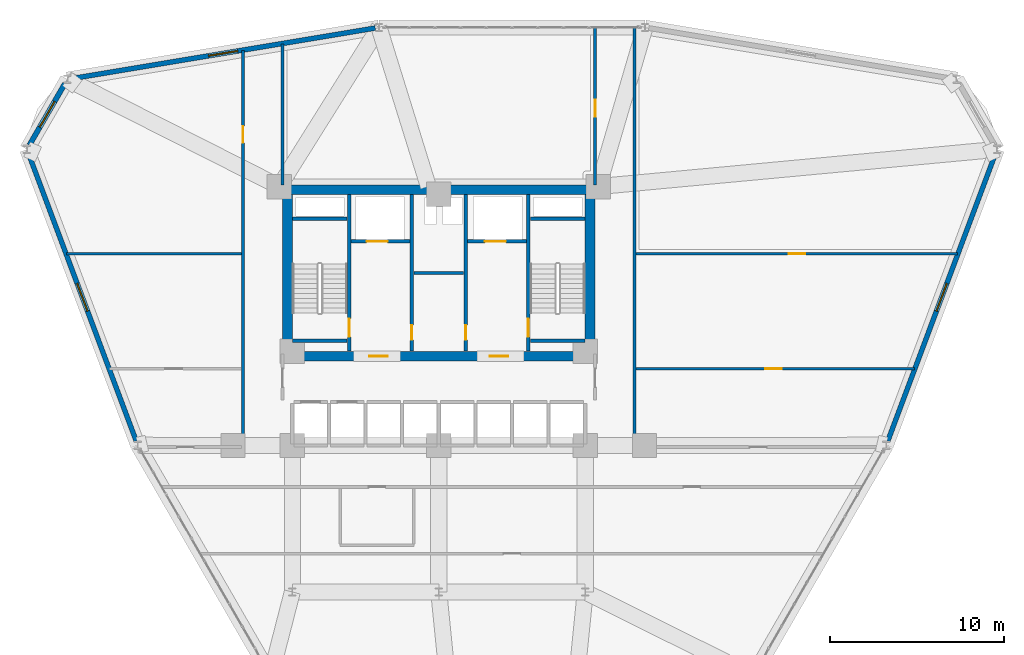
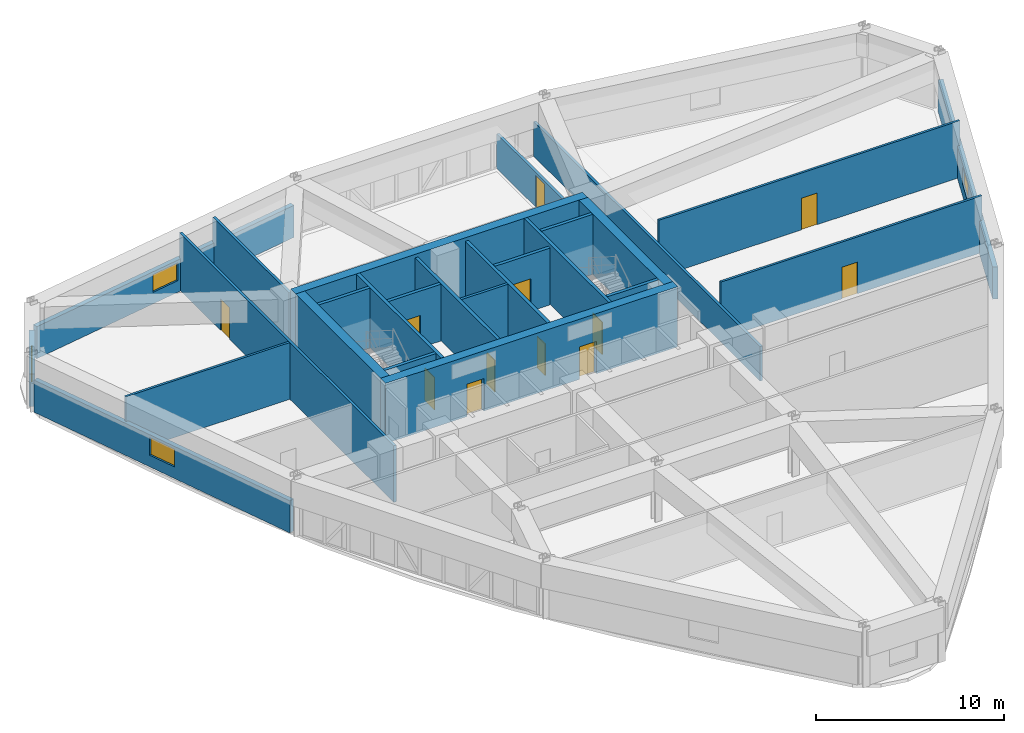
# One storey, part 15 of 18: 26 walls, 12 doors, 4 windows, 16 openings.
"""IFC4 building model written with IfcOpenShell, lengths in metres."""

from ifc_helpers import new_model, si_unit, derived_unit, direction, frame, frame_2d, origin, place, context, subcontext, project, spatial, rectangle, extrude, material, layer, layer_set, type_object, element, fill, save


model = new_model("IFC4")

# Units and contexts
model_context = context("Model", 3, precision=1e-05, world=origin(), true_north=direction((0.0, 1.0)))
body_context = subcontext(model_context, "Body", "Model", "MODEL_VIEW")
ifc_project = project(units=[si_unit("LENGTHUNIT", "METRE"), si_unit("AREAUNIT", "SQUARE_METRE"), si_unit("VOLUMEUNIT", "CUBIC_METRE"), si_unit("PLANEANGLEUNIT", "RADIAN"), si_unit("MASSUNIT", "GRAM", prefix="KILO"), derived_unit("THERMALTRANSMITTANCEUNIT", [(si_unit("POWERUNIT", "WATT"), 1), (si_unit("LENGTHUNIT", "METRE"), -2), (si_unit("THERMODYNAMICTEMPERATUREUNIT", "KELVIN"), -1)])], contexts=[model_context])

# Site, building, storey
site_placement = place(None, origin())
site = spatial("IfcSite", under=ifc_project, at=site_placement, CompositionType="ELEMENT")
building_placement = place(site_placement, origin())
building = spatial("IfcBuilding", under=site, at=building_placement, Name="Korsvarv Bourse and Concert Hall", CompositionType="ELEMENT")
storey_placement = place(building_placement, frame((0.0, 0.0, 71.699951171875)))
storey = spatial("IfcBuildingStorey", under=building, at=storey_placement, Name="L17", CompositionType="ELEMENT", Elevation=71.699951171875)

# Wall, opening, door
ifc_material_1 = material(Name="Concrete C50/60", Category="concrete")
ifc_layer_1 = layer(ifc_material_1, 0.3798828125)
ifc_layer_set_1 = layer_set([ifc_layer_1], Name="Concrete C50/60")
wall_type_1 = type_object("IfcWallType", Name="WL-CORE-380", PredefinedType="SHEAR", material=ifc_layer_set_1)
wall_1_placement = place(storey_placement, frame((30.860107421875, 37.81005859375, 0.0), z_axis=(0.0, 0.0, 1.0), x_axis=(0.0, 1.0, 0.0)))
wall_1 = element("IfcWall", 1, at=wall_1_placement, inside=storey, type_object=wall_type_1, Name="L17 stair shaft structural wall W-L17-ST1-E", PredefinedType="SHEAR", context=body_context, shape_type="SweptSolid", body=[
    extrude(rectangle(XDim=8.97998046875, YDim=0.199951171875, at=frame_2d((4.489990234375, 0.0))), origin(), (0.0, 0.0, 1.0), 3.900146484375),
])
opening_1_placement = place(wall_1_placement, frame((0.820068359375, 0.0, 0.0)))
opening_1 = element("IfcOpeningElement", 2, at=opening_1_placement, cuts=wall_1, Name="Opening D-01", PredefinedType="OPENING", context=body_context, shape_type="SweptSolid", body=[
    extrude(rectangle(XDim=1.050048828125, YDim=2.10009765625, at=frame_2d((0.52490234375, 1.050048828125))), frame((0.0, 0.10986328125, 0.0), z_axis=(0.0, -1.0, 0.0), x_axis=(1.0, 0.0, 0.0)), (0.0, 0.0, 1.0), 0.219970703125),
])
ifc_material_2 = material(Name="Steel S355 fire door", Category="steel")
door_type_1 = type_object("IfcDoorType", Name="DR-FD60", OperationType="NOTDEFINED", PredefinedType="DOOR", material=ifc_material_2)
door_1_placement = place(opening_1_placement, origin())
door_1 = element("IfcDoor", 3, at=door_1_placement, inside=storey, type_object=door_type_1, Name="L17 interior door DR-L17-ST1", OperationType="SINGLE_SWING_LEFT", OverallHeight=2.10009765625, OverallWidth=1.050048828125, PredefinedType="DOOR", context=body_context, shape_type="SweptSolid", body=[
    extrude(rectangle(XDim=1.050048828125, YDim=2.10009765625, at=frame_2d((0.52490234375, 1.050048828125))), frame((0.0, 0.02490234375, 0.0), z_axis=(0.0, -1.0, 0.0), x_axis=(1.0, 0.0, 0.0)), (0.0, 0.0, 1.0), 0.050048828125),
])
fill(opening_1, door_1)

# Walls
for number, where, z_axis, x_axis, name in (
    (4, (27.610107421875, 45.39990234375, 0.0), (0.0, 0.0, 1.0), (1.0, 0.0, 0.0), "L17 stair shaft structural wall W-L17-ST1-N"),
    (5, (27.610107421875, 38.39990234375, 0.0), (0.0, 0.0, 1.0), (1.0, 0.0, 0.0), "L17 stair shaft structural wall W-L17-ST1-S"),
):
    element("IfcWall", number, at=place(storey_placement, frame(where, z_axis=z_axis, x_axis=x_axis)), inside=storey, type_object=wall_type_1, Name=name, PredefinedType="SHEAR", context=body_context, shape_type="SweptSolid", body=[
        extrude(rectangle(XDim=3.139892578125, YDim=0.199951171875, at=frame_2d((1.56982421875, 0.0))), origin(), (0.0, 0.0, 1.0), 3.900146484375),
    ])

# Wall, opening, door
wall_2_placement = place(storey_placement, frame((41.139892578125, 37.81005859375, 0.0), z_axis=(0.0, 0.0, 1.0), x_axis=(0.0, 1.0, 0.0)))
wall_2 = element("IfcWall", 6, at=wall_2_placement, inside=storey, type_object=wall_type_1, Name="L17 stair shaft structural wall W-L17-ST2-W", PredefinedType="SHEAR", context=body_context, shape_type="SweptSolid", body=[
    extrude(rectangle(XDim=8.97998046875, YDim=0.199951171875, at=frame_2d((4.489990234375, 0.0))), origin(), (0.0, 0.0, 1.0), 3.900146484375),
])
opening_2_placement = place(wall_2_placement, frame((0.820068359375, 0.0, 0.0)))
opening_2 = element("IfcOpeningElement", 7, at=opening_2_placement, cuts=wall_2, Name="Opening D-01", PredefinedType="OPENING", context=body_context, shape_type="SweptSolid", body=[
    extrude(rectangle(XDim=1.050048828125, YDim=2.10009765625, at=frame_2d((0.52490234375, 1.050048828125))), frame((0.0, 0.10986328125, 0.0), z_axis=(0.0, -1.0, 0.0), x_axis=(1.0, 0.0, 0.0)), (0.0, 0.0, 1.0), 0.219970703125),
])
door_2_placement = place(opening_2_placement, frame((1.050048828125, 0.0, 0.0), z_axis=(0.0, 0.0, 1.0), x_axis=(-1.0, 0.0, 0.0)))
door_2 = element("IfcDoor", 8, at=door_2_placement, inside=storey, type_object=door_type_1, Name="L17 interior door DR-L17-ST2", OperationType="SINGLE_SWING_RIGHT", OverallHeight=2.10009765625, OverallWidth=1.050048828125, PredefinedType="DOOR", context=body_context, shape_type="SweptSolid", body=[
    extrude(rectangle(XDim=1.050048828125, YDim=2.10009765625, at=frame_2d((0.52490234375, 1.050048828125))), frame((0.0, 0.02490234375, 0.0), z_axis=(0.0, -1.0, 0.0), x_axis=(1.0, 0.0, 0.0)), (0.0, 0.0, 1.0), 0.050048828125),
])
fill(opening_2, door_2)

# Walls
for number, where, z_axis, x_axis, name in (
    (9, (41.25, 45.39990234375, 0.0), (0.0, 0.0, 1.0), (1.0, 0.0, 0.0), "L17 stair shaft structural wall W-L17-ST2-N"),
    (10, (41.25, 38.39990234375, 0.0), (0.0, 0.0, 1.0), (1.0, 0.0, 0.0), "L17 stair shaft structural wall W-L17-ST2-S"),
):
    element("IfcWall", number, at=place(storey_placement, frame(where, z_axis=z_axis, x_axis=x_axis)), inside=storey, type_object=wall_type_1, Name=name, PredefinedType="SHEAR", context=body_context, shape_type="SweptSolid", body=[
        extrude(rectangle(XDim=3.139892578125, YDim=0.199951171875, at=frame_2d((1.56982421875, 0.0))), origin(), (0.0, 0.0, 1.0), 3.900146484375),
    ])
ifc_material_3 = material(Name="Concrete C60/75", Category="concrete")
ifc_layer_2 = layer(ifc_material_3, 0.550048828125)
ifc_layer_set_2 = layer_set([ifc_layer_2], Name="Concrete C60/75")
wall_type_2 = type_object("IfcWallType", Name="WL-CORE-550", PredefinedType="SHEAR", material=ifc_layer_set_2)
wall_3_placement = place(storey_placement, frame((27.050048828125, 47.074951171875, 0.0), z_axis=(0.0, 0.0, 1.0), x_axis=(1.0, 0.0, 0.0)))
element("IfcWall", 11, at=wall_3_placement, inside=storey, type_object=wall_type_2, Name="L17 North Core Shear Wall", PredefinedType="SHEAR", context=body_context, shape_type="SweptSolid", body=[
    extrude(rectangle(XDim=17.89990234375, YDim=0.550048828125, at=frame_2d((8.949951171875, 0.0))), origin(), (0.0, 0.0, 1.0), 3.900146484375),
])

# Wall, openings, doors
wall_4_placement = place(storey_placement, frame((27.050048828125, 37.52490234375, 0.0), z_axis=(0.0, 0.0, 1.0), x_axis=(1.0, 0.0, 0.0)))
wall_4 = element("IfcWall", 12, at=wall_4_placement, inside=storey, type_object=wall_type_2, Name="L17 South Core Shear Wall", PredefinedType="SHEAR", context=body_context, shape_type="SweptSolid", body=[
    extrude(rectangle(XDim=17.89990234375, YDim=0.550048828125, at=frame_2d((8.949951171875, 0.0))), origin(), (0.0, 0.0, 1.0), 3.900146484375),
])
opening_3_placement = place(wall_4_placement, frame((4.97509765625, 0.0, 0.0)))
opening_3 = element("IfcOpeningElement", 13, at=opening_3_placement, cuts=wall_4, Name="Opening D-01", PredefinedType="OPENING", context=body_context, shape_type="SweptSolid", body=[
    extrude(rectangle(XDim=1.050048828125, YDim=2.10009765625, at=frame_2d((0.52490234375, 1.050048828125))), frame((0.0, 0.28515625, 0.0), z_axis=(0.0, -1.0, 0.0), x_axis=(1.0, 0.0, 0.0)), (0.0, 0.0, 1.0), 0.570068359375),
])
opening_4_placement = place(wall_4_placement, frame((11.875, 0.0, 0.0)))
opening_4 = element("IfcOpeningElement", 14, at=opening_4_placement, cuts=wall_4, Name="Opening D-01", PredefinedType="OPENING", context=body_context, shape_type="SweptSolid", body=[
    extrude(rectangle(XDim=1.050048828125, YDim=2.10009765625, at=frame_2d((0.52490234375, 1.050048828125))), frame((0.0, 0.28515625, 0.0), z_axis=(0.0, -1.0, 0.0), x_axis=(1.0, 0.0, 0.0)), (0.0, 0.0, 1.0), 0.570068359375),
])
door_3_placement = place(opening_3_placement, frame((1.050048828125, 0.0, 0.0), z_axis=(0.0, 0.0, 1.0), x_axis=(-1.0, 0.0, 0.0)))
door_3 = element("IfcDoor", 15, at=door_3_placement, inside=storey, type_object=door_type_1, Name="L17 firefighting lobby fire door DR-L17-FFLW", OperationType="SINGLE_SWING_RIGHT", OverallHeight=2.10009765625, OverallWidth=1.050048828125, PredefinedType="DOOR", context=body_context, shape_type="SweptSolid", body=[
    extrude(rectangle(XDim=1.050048828125, YDim=2.10009765625, at=frame_2d((0.52490234375, 1.050048828125))), frame((0.0, 0.02490234375, 0.0), z_axis=(0.0, -1.0, 0.0), x_axis=(1.0, 0.0, 0.0)), (0.0, 0.0, 1.0), 0.050048828125),
])
fill(opening_3, door_3)
door_4_placement = place(opening_4_placement, frame((1.050048828125, 0.0, 0.0), z_axis=(0.0, 0.0, 1.0), x_axis=(-1.0, 0.0, 0.0)))
door_4 = element("IfcDoor", 16, at=door_4_placement, inside=storey, type_object=door_type_1, Name="L17 firefighting lobby fire door DR-L17-FFLE", OperationType="SINGLE_SWING_LEFT", OverallHeight=2.10009765625, OverallWidth=1.050048828125, PredefinedType="DOOR", context=body_context, shape_type="SweptSolid", body=[
    extrude(rectangle(XDim=1.050048828125, YDim=2.10009765625, at=frame_2d((0.52490234375, 1.050048828125))), frame((0.0, 0.02490234375, 0.0), z_axis=(0.0, -1.0, 0.0), x_axis=(1.0, 0.0, 0.0)), (0.0, 0.0, 1.0), 0.050048828125),
])
fill(opening_4, door_4)

# Walls
for number, where, z_axis, x_axis, name in (
    (17, (27.324951171875, 37.800048828125, 0.0), (0.0, 0.0, 1.0), (0.0, 1.0, 0.0), "L17 West Core Shear Wall"),
    (18, (44.675048828125, 37.800048828125, 0.0), (0.0, 0.0, 1.0), (0.0, 1.0, 0.0), "L17 East Core Shear Wall"),
):
    element("IfcWall", number, at=place(storey_placement, frame(where, z_axis=z_axis, x_axis=x_axis)), inside=storey, type_object=wall_type_2, Name=name, PredefinedType="SHEAR", context=body_context, shape_type="SweptSolid", body=[
        extrude(rectangle(XDim=9.0, YDim=0.550048828125, at=frame_2d((4.5, 0.0))), origin(), (0.0, 0.0, 1.0), 3.900146484375),
    ])

# Wall, opening, window
ifc_material_4 = material(Name="Precast concrete C45/55 with terracotta rainscreen", Category="concrete")
ifc_layer_3 = layer(ifc_material_4, 0.300048828125)
ifc_layer_set_3 = layer_set([ifc_layer_3], Name="Precast concrete C45/55 with terracotta rainscreen")
wall_type_3 = type_object("IfcWallType", Name="WL-EXT-TC1", PredefinedType="SOLIDWALL", material=ifc_layer_set_3)
wall_5_placement = place(storey_placement, frame((14.5625, 53.15673828125, 0.0), z_axis=(0.0, 0.0, 1.0), x_axis=(-0.499969426694, -0.866043054571, 0.0)))
wall_5 = element("IfcWall", 19, at=wall_5_placement, inside=storey, type_object=wall_type_3, Name="L17 terracotta exterior wall EW-L17-B05", PredefinedType="SOLIDWALL", context=body_context, shape_type="SweptSolid", body=[
    extrude(rectangle(XDim=4.078857421875, YDim=0.300048828125, at=frame_2d((2.03955078125, 0.0))), origin(), (0.0, 0.0, 1.0), 2.080078125),
])
opening_5_placement = place(wall_5_placement, frame((1.189453125, 0.0, 0.75)))
opening_5 = element("IfcOpeningElement", 20, at=opening_5_placement, cuts=wall_5, Name="Opening W-06", PredefinedType="OPENING", context=body_context, shape_type="SweptSolid", body=[
    extrude(rectangle(XDim=1.699951171875, YDim=1.14990234375, at=frame_2d((0.85009765625, 0.574951171875))), frame((0.0, 0.16015625, 0.0), z_axis=(0.0, -1.0, 0.0), x_axis=(1.0, 0.0, 0.0)), (0.0, 0.0, 1.0), 0.320068359375),
])
ifc_material_5 = material(Name="Thermally broken aluminium frame with triple low-E glass", Category="glass")
window_type = type_object("IfcWindowType", Name="WIN-TW1-1700X1150", PartitioningType="SINGLE_PANEL", PredefinedType="WINDOW", material=ifc_material_5)
window_1_placement = place(opening_5_placement, origin())
window_1 = element("IfcWindow", 21, at=window_1_placement, inside=storey, type_object=window_type, Name="L17 punched facade window W-06", OverallHeight=1.14990234375, OverallWidth=1.699951171875, PartitioningType="SINGLE_PANEL", PredefinedType="WINDOW", context=body_context, shape_type="SweptSolid", body=[
    extrude(rectangle(XDim=1.699951171875, YDim=1.14990234375, at=frame_2d((0.85009765625, 0.574951171875))), frame((0.0, 0.030029296875, 0.0), z_axis=(0.0, -1.0, 0.0), x_axis=(1.0, 0.0, 0.0)), (0.0, 0.0, 1.0), 0.06005859375),
])
fill(opening_5, window_1)

ifc_material_6 = material(Name="Precast concrete C45/55 with fluted terracotta pier", Category="concrete")
ifc_layer_4 = layer(ifc_material_6, 0.280029296875)
ifc_layer_set_4 = layer_set([ifc_layer_4], Name="Precast concrete C45/55 with fluted terracotta pier")
wall_type_4 = type_object("IfcWallType", Name="WL-EXT-TC2", PredefinedType="SOLIDWALL", material=ifc_layer_set_4)
wall_6_placement = place(storey_placement, frame((32.356201171875, 56.340576171875, 0.0), z_axis=(0.0, 0.0, 1.0), x_axis=(-0.986399895449, -0.16436315359, 0.0)))
wall_6 = element("IfcWall", 22, at=wall_6_placement, inside=storey, type_object=wall_type_4, Name="L17 terracotta exterior wall EW-L17-B04", PredefinedType="SOLIDWALL", context=body_context, shape_type="SweptSolid", body=[
    extrude(rectangle(XDim=17.677490234375, YDim=0.280029296875, at=frame_2d((8.8388671875, 0.0))), origin(), (0.0, 0.0, 1.0), 2.080078125),
])
opening_6_placement = place(wall_6_placement, frame((7.98876953125, 0.0, 0.75)))
opening_6 = element("IfcOpeningElement", 23, at=opening_6_placement, cuts=wall_6, Name="Opening W-06", PredefinedType="OPENING", context=body_context, shape_type="SweptSolid", body=[
    extrude(rectangle(XDim=1.699951171875, YDim=1.14990234375, at=frame_2d((0.85009765625, 0.574951171875))), frame((0.0, 0.14990234375, 0.0), z_axis=(0.0, -1.0, 0.0), x_axis=(1.0, 0.0, 0.0)), (0.0, 0.0, 1.0), 0.300048828125),
])
window_2_placement = place(opening_6_placement, origin())
window_2 = element("IfcWindow", 24, at=window_2_placement, inside=storey, type_object=window_type, Name="L17 punched facade window W-06", OverallHeight=1.14990234375, OverallWidth=1.699951171875, PartitioningType="SINGLE_PANEL", PredefinedType="WINDOW", context=body_context, shape_type="SweptSolid", body=[
    extrude(rectangle(XDim=1.699951171875, YDim=1.14990234375, at=frame_2d((0.85009765625, 0.574951171875))), frame((0.0, 0.030029296875, 0.0), z_axis=(0.0, -1.0, 0.0), x_axis=(1.0, 0.0, 0.0)), (0.0, 0.0, 1.0), 0.06005859375),
])
fill(opening_6, window_2)

wall_7_placement = place(storey_placement, frame((12.47412109375, 49.14013671875, 0.0), z_axis=(0.0, 0.0, 1.0), x_axis=(0.350845241249, -0.93643345556, 0.0)))
wall_7 = element("IfcWall", 25, at=wall_7_placement, inside=storey, type_object=wall_type_4, Name="L17 terracotta exterior wall EW-L17-B06", PredefinedType="SOLIDWALL", context=body_context, shape_type="SweptSolid", body=[
    extrude(rectangle(XDim=17.6005859375, YDim=0.280029296875, at=frame_2d((8.80029296875, 0.0))), origin(), (0.0, 0.0, 1.0), 2.080078125),
])
opening_7_placement = place(wall_7_placement, frame((7.9501953125, 0.0, 0.75)))
opening_7 = element("IfcOpeningElement", 26, at=opening_7_placement, cuts=wall_7, Name="Opening W-06", PredefinedType="OPENING", context=body_context, shape_type="SweptSolid", body=[
    extrude(rectangle(XDim=1.699951171875, YDim=1.14990234375, at=frame_2d((0.85009765625, 0.574951171875))), frame((0.0, 0.14990234375, 0.0), z_axis=(0.0, -1.0, 0.0), x_axis=(1.0, 0.0, 0.0)), (0.0, 0.0, 1.0), 0.300048828125),
])
window_3_placement = place(opening_7_placement, origin())
window_3 = element("IfcWindow", 27, at=window_3_placement, inside=storey, type_object=window_type, Name="L17 punched facade window W-06", OverallHeight=1.14990234375, OverallWidth=1.699951171875, PartitioningType="SINGLE_PANEL", PredefinedType="WINDOW", context=body_context, shape_type="SweptSolid", body=[
    extrude(rectangle(XDim=1.699951171875, YDim=1.14990234375, at=frame_2d((0.85009765625, 0.574951171875))), frame((0.0, 0.030029296875, 0.0), z_axis=(0.0, -1.0, 0.0), x_axis=(1.0, 0.0, 0.0)), (0.0, 0.0, 1.0), 0.06005859375),
])
fill(opening_7, window_3)

wall_8_placement = place(storey_placement, frame((61.7509765625, 32.658447265625, 0.0), z_axis=(0.0, 0.0, 1.0), x_axis=(0.350833077365, 0.936438012805, 0.0)))
wall_8 = element("IfcWall", 28, at=wall_8_placement, inside=storey, type_object=wall_type_4, Name="L17 terracotta exterior wall EW-L17-B12", PredefinedType="SOLIDWALL", context=body_context, shape_type="SweptSolid", body=[
    extrude(rectangle(XDim=17.600341796875, YDim=0.280029296875, at=frame_2d((8.80029296875, 0.0))), origin(), (0.0, 0.0, 1.0), 2.080078125),
])
opening_8_placement = place(wall_8_placement, frame((7.9501953125, 0.0, 0.75)))
opening_8 = element("IfcOpeningElement", 29, at=opening_8_placement, cuts=wall_8, Name="Opening W-06", PredefinedType="OPENING", context=body_context, shape_type="SweptSolid", body=[
    extrude(rectangle(XDim=1.699951171875, YDim=1.14990234375, at=frame_2d((0.85009765625, 0.574951171875))), frame((0.0, 0.14990234375, 0.0), z_axis=(0.0, -1.0, 0.0), x_axis=(1.0, 0.0, 0.0)), (0.0, 0.0, 1.0), 0.300048828125),
])
window_4_placement = place(opening_8_placement, origin())
window_4 = element("IfcWindow", 30, at=window_4_placement, inside=storey, type_object=window_type, Name="L17 punched facade window W-06", OverallHeight=1.14990234375, OverallWidth=1.699951171875, PartitioningType="SINGLE_PANEL", PredefinedType="WINDOW", context=body_context, shape_type="SweptSolid", body=[
    extrude(rectangle(XDim=1.699951171875, YDim=1.14990234375, at=frame_2d((0.85009765625, 0.574951171875))), frame((0.0, 0.030029296875, 0.0), z_axis=(0.0, -1.0, 0.0), x_axis=(1.0, 0.0, 0.0)), (0.0, 0.0, 1.0), 0.06005859375),
])
fill(opening_8, window_4)

# Wall, opening, door
ifc_material_7 = material(Name="Reinforced concrete blockwork C35/45 fire wall", Category="concrete")
ifc_layer_5 = layer(ifc_material_7, 0.199951171875)
ifc_layer_set_5 = layer_set([ifc_layer_5], Name="Reinforced concrete blockwork C35/45 fire wall")
wall_type_5 = type_object("IfcWallType", Name="WL-INT-EI120", PredefinedType="PARTITIONING", material=ifc_layer_set_5)
wall_9_placement = place(storey_placement, frame((30.969970703125, 44.10009765625, 0.0), z_axis=(0.0, 0.0, 1.0), x_axis=(1.0, 0.0, 0.0)))
wall_9 = element("IfcWall", 31, at=wall_9_placement, inside=storey, type_object=wall_type_5, Name="L17 interior partition wall W-L17-FF1-S", PredefinedType="PARTITIONING", context=body_context, shape_type="SweptSolid", body=[
    extrude(rectangle(XDim=3.380126953125, YDim=0.199951171875, at=frame_2d((1.68994140625, 0.0))), origin(), (0.0, 0.0, 1.0), 3.679931640625),
])
opening_9_placement = place(wall_9_placement, frame((0.89990234375, 0.0, 0.0)))
opening_9 = element("IfcOpeningElement", 32, at=opening_9_placement, cuts=wall_9, Name="Opening LD-1", PredefinedType="OPENING", context=body_context, shape_type="SweptSolid", body=[
    extrude(rectangle(XDim=1.199951171875, YDim=2.10009765625, at=frame_2d((0.60009765625, 1.050048828125))), frame((0.0, 0.10986328125, 0.0), z_axis=(0.0, -1.0, 0.0), x_axis=(1.0, 0.0, 0.0)), (0.0, 0.0, 1.0), 0.219970703125),
])
ifc_material_8 = material(Name="Stainless Steel S355 firefighting lift landing door", Category="steel")
door_type_2 = type_object("IfcDoorType", Name="DR-LIFT-FF", OperationType="DOUBLE_DOOR_SLIDING", PredefinedType="DOOR", material=ifc_material_8)
door_5_placement = place(opening_9_placement, origin())
door_5 = element("IfcDoor", 33, at=door_5_placement, inside=storey, type_object=door_type_2, Name="L17 lift sliding landing door LD-L17-FF1", OperationType="DOUBLE_DOOR_SLIDING", OverallHeight=2.10009765625, OverallWidth=1.199951171875, PredefinedType="DOOR", context=body_context, shape_type="SweptSolid", body=[
    extrude(rectangle(XDim=1.199951171875, YDim=2.10009765625, at=frame_2d((0.60009765625, 1.050048828125))), frame((0.0, 0.02490234375, 0.0), z_axis=(0.0, -1.0, 0.0), x_axis=(1.0, 0.0, 0.0)), (0.0, 0.0, 1.0), 0.050048828125),
])
fill(opening_9, door_5)

wall_10_placement = place(storey_placement, frame((37.64990234375, 44.10009765625, 0.0), z_axis=(0.0, 0.0, 1.0), x_axis=(1.0, 0.0, 0.0)))
wall_10 = element("IfcWall", 34, at=wall_10_placement, inside=storey, type_object=wall_type_5, Name="L17 interior partition wall W-L17-FF2-S", PredefinedType="PARTITIONING", context=body_context, shape_type="SweptSolid", body=[
    extrude(rectangle(XDim=3.380126953125, YDim=0.199951171875, at=frame_2d((1.68994140625, 0.0))), origin(), (0.0, 0.0, 1.0), 3.679931640625),
])
opening_10_placement = place(wall_10_placement, frame((1.0, 0.0, 0.0)))
opening_10 = element("IfcOpeningElement", 35, at=opening_10_placement, cuts=wall_10, Name="Opening LD-1", PredefinedType="OPENING", context=body_context, shape_type="SweptSolid", body=[
    extrude(rectangle(XDim=1.199951171875, YDim=2.10009765625, at=frame_2d((0.60009765625, 1.050048828125))), frame((0.0, 0.10986328125, 0.0), z_axis=(0.0, -1.0, 0.0), x_axis=(1.0, 0.0, 0.0)), (0.0, 0.0, 1.0), 0.219970703125),
])
door_6_placement = place(opening_10_placement, origin())
door_6 = element("IfcDoor", 36, at=door_6_placement, inside=storey, type_object=door_type_2, Name="L17 lift sliding landing door LD-L17-FF2", OperationType="DOUBLE_DOOR_SLIDING", OverallHeight=2.10009765625, OverallWidth=1.199951171875, PredefinedType="DOOR", context=body_context, shape_type="SweptSolid", body=[
    extrude(rectangle(XDim=1.199951171875, YDim=2.10009765625, at=frame_2d((0.60009765625, 1.050048828125))), frame((0.0, 0.02490234375, 0.0), z_axis=(0.0, -1.0, 0.0), x_axis=(1.0, 0.0, 0.0)), (0.0, 0.0, 1.0), 0.050048828125),
])
fill(opening_10, door_6)

wall_11_placement = place(storey_placement, frame((34.4599609375, 37.81005859375, 0.0), z_axis=(0.0, 0.0, 1.0), x_axis=(0.0, 1.0, 0.0)))
wall_11 = element("IfcWall", 37, at=wall_11_placement, inside=storey, type_object=wall_type_5, Name="L17 interior partition wall W-L17-CSB-W", PredefinedType="PARTITIONING", context=body_context, shape_type="SweptSolid", body=[
    extrude(rectangle(XDim=8.97998046875, YDim=0.199951171875, at=frame_2d((4.489990234375, 0.0))), origin(), (0.0, 0.0, 1.0), 3.679931640625),
])
opening_11_placement = place(wall_11_placement, frame((0.64990234375, 0.0, 0.0)))
opening_11 = element("IfcOpeningElement", 38, at=opening_11_placement, cuts=wall_11, Name="Opening D-05", PredefinedType="OPENING", context=body_context, shape_type="SweptSolid", body=[
    extrude(rectangle(XDim=0.85009765625, YDim=2.050048828125, at=frame_2d((0.425048828125, 1.02490234375))), frame((0.0, 0.10986328125, 0.0), z_axis=(0.0, -1.0, 0.0), x_axis=(1.0, 0.0, 0.0)), (0.0, 0.0, 1.0), 0.219970703125),
])
door_type_3 = type_object("IfcDoorType", Name="DR-FD60-850X2050", OperationType="NOTDEFINED", PredefinedType="DOOR", material=ifc_material_2)
door_7_placement = place(opening_11_placement, frame((0.85009765625, 0.0, 0.0), z_axis=(0.0, 0.0, 1.0), x_axis=(-1.0, 0.0, 0.0)))
door_7 = element("IfcDoor", 39, at=door_7_placement, inside=storey, type_object=door_type_3, Name="L17 interior door DR-L17-CSB1", OperationType="SINGLE_SWING_LEFT", OverallHeight=2.050048828125, OverallWidth=0.85009765625, PredefinedType="DOOR", context=body_context, shape_type="SweptSolid", body=[
    extrude(rectangle(XDim=0.85009765625, YDim=2.050048828125, at=frame_2d((0.425048828125, 1.02490234375))), frame((0.0, 0.02490234375, 0.0), z_axis=(0.0, -1.0, 0.0), x_axis=(1.0, 0.0, 0.0)), (0.0, 0.0, 1.0), 0.050048828125),
])
fill(opening_11, door_7)

wall_12_placement = place(storey_placement, frame((37.5400390625, 37.81005859375, 0.0), z_axis=(0.0, 0.0, 1.0), x_axis=(0.0, 1.0, 0.0)))
wall_12 = element("IfcWall", 40, at=wall_12_placement, inside=storey, type_object=wall_type_5, Name="L17 interior partition wall W-L17-CSB-E", PredefinedType="PARTITIONING", context=body_context, shape_type="SweptSolid", body=[
    extrude(rectangle(XDim=8.97998046875, YDim=0.199951171875, at=frame_2d((4.489990234375, 0.0))), origin(), (0.0, 0.0, 1.0), 3.679931640625),
])
opening_12_placement = place(wall_12_placement, frame((0.64990234375, 0.0, 0.0)))
opening_12 = element("IfcOpeningElement", 41, at=opening_12_placement, cuts=wall_12, Name="Opening D-05", PredefinedType="OPENING", context=body_context, shape_type="SweptSolid", body=[
    extrude(rectangle(XDim=0.85009765625, YDim=2.050048828125, at=frame_2d((0.425048828125, 1.02490234375))), frame((0.0, 0.10986328125, 0.0), z_axis=(0.0, -1.0, 0.0), x_axis=(1.0, 0.0, 0.0)), (0.0, 0.0, 1.0), 0.219970703125),
])
door_8_placement = place(opening_12_placement, origin())
door_8 = element("IfcDoor", 42, at=door_8_placement, inside=storey, type_object=door_type_3, Name="L17 interior door DR-L17-CSB2", OperationType="SINGLE_SWING_RIGHT", OverallHeight=2.050048828125, OverallWidth=0.85009765625, PredefinedType="DOOR", context=body_context, shape_type="SweptSolid", body=[
    extrude(rectangle(XDim=0.85009765625, YDim=2.050048828125, at=frame_2d((0.425048828125, 1.02490234375))), frame((0.0, 0.02490234375, 0.0), z_axis=(0.0, -1.0, 0.0), x_axis=(1.0, 0.0, 0.0)), (0.0, 0.0, 1.0), 0.050048828125),
])
fill(opening_12, door_8)

# Walls
ifc_material_9 = material(Name="Double-stud fire-rated acoustic partition", Category="gypsum")
ifc_layer_6 = layer(ifc_material_9, 0.159912109375)
ifc_layer_set_6 = layer_set([ifc_layer_6], Name="Double-stud fire-rated acoustic partition")
wall_type_6 = type_object("IfcWallType", Name="WL-INT-EI60", PredefinedType="PARTITIONING", material=ifc_layer_set_6)
wall_13_placement = place(storey_placement, frame((34.570068359375, 42.300048828125, 0.0), z_axis=(0.0, 0.0, 1.0), x_axis=(1.0, 0.0, 0.0)))
element("IfcWall", 43, at=wall_13_placement, inside=storey, type_object=wall_type_6, Name="L17 interior partition wall W-L17-K1", PredefinedType="PARTITIONING", context=body_context, shape_type="SweptSolid", body=[
    extrude(rectangle(XDim=2.85986328125, YDim=0.159912109375, at=frame_2d((1.429931640625, 0.0))), origin(), (0.0, 0.0, 1.0), 3.679931640625),
])
wall_14_placement = place(storey_placement, frame((47.22509765625, 32.31005859375, 0.0), z_axis=(0.0, 0.0, 1.0), x_axis=(0.0, 1.0, 0.0)))
element("IfcWall", 44, at=wall_14_placement, inside=storey, type_object=wall_type_6, Name="L17 interior partition wall W-L17-TCOR-02", PredefinedType="PARTITIONING", context=body_context, shape_type="SweptSolid", body=[
    extrude(rectangle(XDim=24.046630859375, YDim=0.159912109375, at=frame_2d((12.0234375, 0.0))), origin(), (0.0, 0.0, 1.0), 2.239990234375),
])

# Wall, opening, door
wall_15_placement = place(storey_placement, frame((24.77490234375, 32.31005859375, 0.0), z_axis=(0.0, 0.0, 1.0), x_axis=(0.0, 1.0, 0.0)))
wall_15 = element("IfcWall", 45, at=wall_15_placement, inside=storey, type_object=wall_type_6, Name="L17 interior partition wall W-L17-TCOR-03", PredefinedType="PARTITIONING", context=body_context, shape_type="SweptSolid", body=[
    extrude(rectangle(XDim=22.747314453125, YDim=0.159912109375, at=frame_2d((11.37353515625, 0.0))), origin(), (0.0, 0.0, 1.0), 3.679931640625),
])
opening_13_placement = place(wall_15_placement, frame((17.44873046875, 0.0, 0.0)))
opening_13 = element("IfcOpeningElement", 46, at=opening_13_placement, cuts=wall_15, Name="Opening D-02", PredefinedType="OPENING", context=body_context, shape_type="SweptSolid", body=[
    extrude(rectangle(XDim=0.949951171875, YDim=2.050048828125, at=frame_2d((0.47509765625, 1.02490234375))), frame((0.0, 0.08984375, 0.0), z_axis=(0.0, -1.0, 0.0), x_axis=(1.0, 0.0, 0.0)), (0.0, 0.0, 1.0), 0.179931640625),
])
ifc_material_10 = material(Name="Timber and steel acoustic fire door", Category="wood")
door_type_4 = type_object("IfcDoorType", Name="DR-FD30", OperationType="NOTDEFINED", PredefinedType="DOOR", material=ifc_material_10)
door_9_placement = place(opening_13_placement, origin())
door_9 = element("IfcDoor", 47, at=door_9_placement, inside=storey, type_object=door_type_4, Name="L17 interior door DR-L17-TCOR-QT610", OperationType="SINGLE_SWING_LEFT", OverallHeight=2.050048828125, OverallWidth=0.949951171875, PredefinedType="DOOR", context=body_context, shape_type="SweptSolid", body=[
    extrude(rectangle(XDim=0.949951171875, YDim=2.050048828125, at=frame_2d((0.47509765625, 1.02490234375))), frame((0.0, 0.02490234375, 0.0), z_axis=(0.0, -1.0, 0.0), x_axis=(1.0, 0.0, 0.0)), (0.0, 0.0, 1.0), 0.050048828125),
])
fill(opening_13, door_9)

wall_16_placement = place(storey_placement, frame((44.965087890625, 47.340087890625, 0.0), z_axis=(0.0, 0.0, 1.0), x_axis=(0.0, 1.0, 0.0)))
wall_16 = element("IfcWall", 48, at=wall_16_placement, inside=storey, type_object=wall_type_6, Name="L17 interior partition wall W-L17-TCOR-05", PredefinedType="PARTITIONING", context=body_context, shape_type="SweptSolid", body=[
    extrude(rectangle(XDim=9.0166015625, YDim=0.159912109375, at=frame_2d((4.50830078125, 0.0))), origin(), (0.0, 0.0, 1.0), 2.239990234375),
])
opening_14_placement = place(wall_16_placement, frame((3.92724609375, 0.0, 0.0)))
opening_14 = element("IfcOpeningElement", 49, at=opening_14_placement, cuts=wall_16, Name="Opening D-02", PredefinedType="OPENING", context=body_context, shape_type="SweptSolid", body=[
    extrude(rectangle(XDim=0.949951171875, YDim=2.050048828125, at=frame_2d((0.47509765625, 1.02490234375))), frame((0.0, 0.08984375, 0.0), z_axis=(0.0, -1.0, 0.0), x_axis=(1.0, 0.0, 0.0)), (0.0, 0.0, 1.0), 0.179931640625),
])
door_10_placement = place(opening_14_placement, origin())
door_10 = element("IfcDoor", 50, at=door_10_placement, inside=storey, type_object=door_type_4, Name="L17 interior door DR-L17-TCOR-RM77", OperationType="SINGLE_SWING_LEFT", OverallHeight=2.050048828125, OverallWidth=0.949951171875, PredefinedType="DOOR", context=body_context, shape_type="SweptSolid", body=[
    extrude(rectangle(XDim=0.949951171875, YDim=2.050048828125, at=frame_2d((0.47509765625, 1.02490234375))), frame((0.0, 0.02490234375, 0.0), z_axis=(0.0, -1.0, 0.0), x_axis=(1.0, 0.0, 0.0)), (0.0, 0.0, 1.0), 0.050048828125),
])
fill(opening_14, door_10)

# Wall
wall_17_placement = place(storey_placement, frame((27.034912109375, 47.340087890625, 0.0), z_axis=(0.0, 0.0, 1.0), x_axis=(0.0, 1.0, 0.0)))
element("IfcWall", 51, at=wall_17_placement, inside=storey, type_object=wall_type_6, Name="L17 interior partition wall W-L17-TCOR-06", PredefinedType="PARTITIONING", context=body_context, shape_type="SweptSolid", body=[
    extrude(rectangle(XDim=8.09375, YDim=0.159912109375, at=frame_2d((4.046875, 0.0))), origin(), (0.0, 0.0, 1.0), 3.679931640625),
])

# Wall, opening, door
ifc_material_11 = material(Name="Insulated steel-stud office acoustic partition", Category="gypsum")
ifc_layer_7 = layer(ifc_material_11, 0.139892578125)
ifc_layer_set_7 = layer_set([ifc_layer_7], Name="Insulated steel-stud office acoustic partition")
wall_type_7 = type_object("IfcWallType", Name="WL-INT-P1", PredefinedType="PARTITIONING", material=ifc_layer_set_7)
wall_18_placement = place(storey_placement, frame((47.306884765625, 43.405029296875, 0.0), z_axis=(0.0, 0.0, 1.0), x_axis=(1.0, 0.0, 0.0)))
wall_18 = element("IfcWall", 52, at=wall_18_placement, inside=storey, type_object=wall_type_7, Name="L17 interior partition wall W-L17-TCOR-10", PredefinedType="PARTITIONING", context=body_context, shape_type="SweptSolid", body=[
    extrude(rectangle(XDim=18.4501953125, YDim=0.139892578125, at=frame_2d((9.22509765625, 0.0))), origin(), (0.0, 0.0, 1.0), 3.679931640625),
])
opening_15_placement = place(wall_18_placement, frame((8.75, 0.0, 0.0)))
opening_15 = element("IfcOpeningElement", 53, at=opening_15_placement, cuts=wall_18, Name="Opening D-03", PredefinedType="OPENING", context=body_context, shape_type="SweptSolid", body=[
    extrude(rectangle(XDim=0.949951171875, YDim=2.050048828125, at=frame_2d((0.47509765625, 1.02490234375))), frame((0.0, 0.080078125, 0.0), z_axis=(0.0, -1.0, 0.0), x_axis=(1.0, 0.0, 0.0)), (0.0, 0.0, 1.0), 0.159912109375),
])
ifc_material_12 = material(Name="Nordic oak acoustic office door", Category="wood")
door_type_5 = type_object("IfcDoorType", Name="DR-INT-1", OperationType="NOTDEFINED", PredefinedType="DOOR", material=ifc_material_12)
door_11_placement = place(opening_15_placement, origin())
door_11 = element("IfcDoor", 54, at=door_11_placement, inside=storey, type_object=door_type_5, Name="L17 interior door DR-L17-TCOR-RM33", OperationType="SINGLE_SWING_LEFT", OverallHeight=2.050048828125, OverallWidth=0.949951171875, PredefinedType="DOOR", context=body_context, shape_type="SweptSolid", body=[
    extrude(rectangle(XDim=0.949951171875, YDim=2.050048828125, at=frame_2d((0.47509765625, 1.02490234375))), frame((0.0, 0.02490234375, 0.0), z_axis=(0.0, -1.0, 0.0), x_axis=(1.0, 0.0, 0.0)), (0.0, 0.0, 1.0), 0.050048828125),
])
fill(opening_15, door_11)

wall_19_placement = place(storey_placement, frame((47.306884765625, 36.804931640625, 0.0), z_axis=(0.0, 0.0, 1.0), x_axis=(1.0, 0.0, 0.0)))
wall_19 = element("IfcWall", 55, at=wall_19_placement, inside=storey, type_object=wall_type_7, Name="L17 interior partition wall W-L17-TCOR-11", PredefinedType="PARTITIONING", context=body_context, shape_type="SweptSolid", body=[
    extrude(rectangle(XDim=15.9775390625, YDim=0.139892578125, at=frame_2d((7.98876953125, 0.0))), origin(), (0.0, 0.0, 1.0), 3.679931640625),
])
opening_16_placement = place(wall_19_placement, frame((7.40625, 0.0, 0.0)))
opening_16 = element("IfcOpeningElement", 56, at=opening_16_placement, cuts=wall_19, Name="Opening D-03", PredefinedType="OPENING", context=body_context, shape_type="SweptSolid", body=[
    extrude(rectangle(XDim=0.949951171875, YDim=2.050048828125, at=frame_2d((0.47509765625, 1.02490234375))), frame((0.0, 0.080078125, 0.0), z_axis=(0.0, -1.0, 0.0), x_axis=(1.0, 0.0, 0.0)), (0.0, 0.0, 1.0), 0.159912109375),
])
door_12_placement = place(opening_16_placement, origin())
door_12 = element("IfcDoor", 57, at=door_12_placement, inside=storey, type_object=door_type_5, Name="L17 interior door DR-L17-TCOR-QT82", OperationType="SINGLE_SWING_RIGHT", OverallHeight=2.050048828125, OverallWidth=0.949951171875, PredefinedType="DOOR", context=body_context, shape_type="SweptSolid", body=[
    extrude(rectangle(XDim=0.949951171875, YDim=2.050048828125, at=frame_2d((0.47509765625, 1.02490234375))), frame((0.0, 0.02490234375, 0.0), z_axis=(0.0, -1.0, 0.0), x_axis=(1.0, 0.0, 0.0)), (0.0, 0.0, 1.0), 0.050048828125),
])
fill(opening_16, door_12)

# Wall
wall_20_placement = place(storey_placement, frame((14.642822265625, 43.405029296875, 0.0), z_axis=(0.0, 0.0, 1.0), x_axis=(1.0, 0.0, 0.0)))
element("IfcWall", 58, at=wall_20_placement, inside=storey, type_object=wall_type_7, Name="L17 interior partition wall W-L17-TCOR-12", PredefinedType="PARTITIONING", context=body_context, shape_type="SweptSolid", body=[
    extrude(rectangle(XDim=10.05029296875, YDim=0.139892578125, at=frame_2d((5.025146484375, 0.0))), origin(), (0.0, 0.0, 1.0), 3.679931640625),
])

save(model, "model.ifc")
